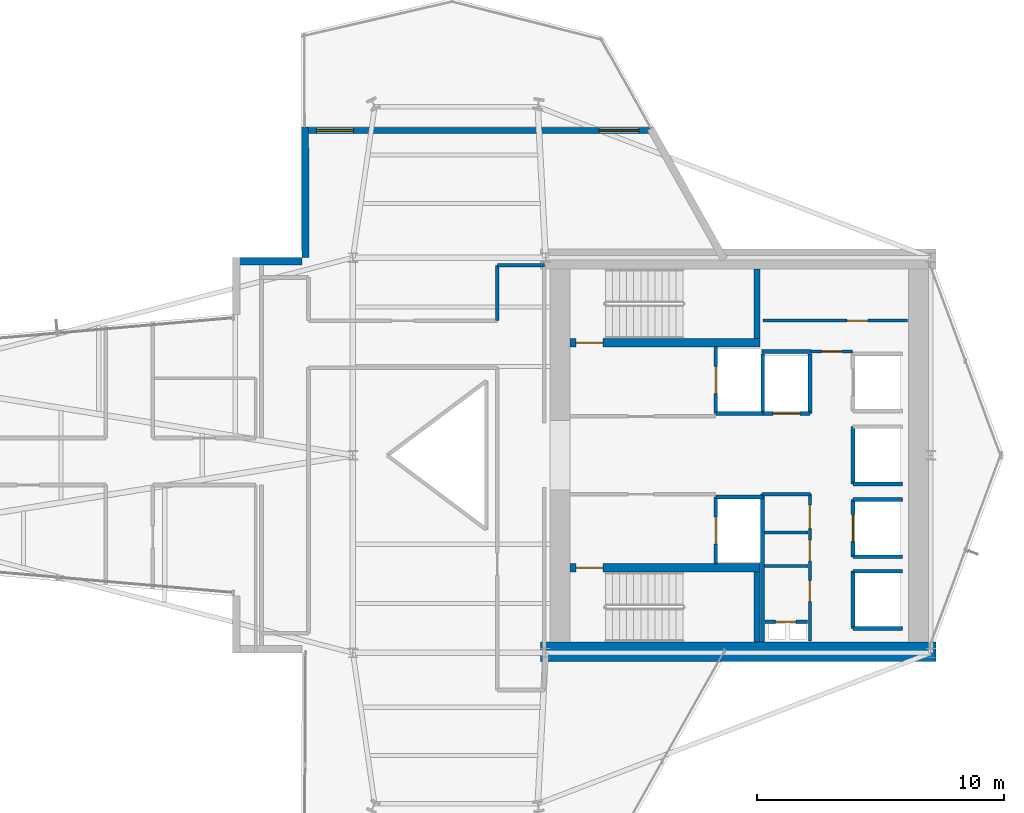
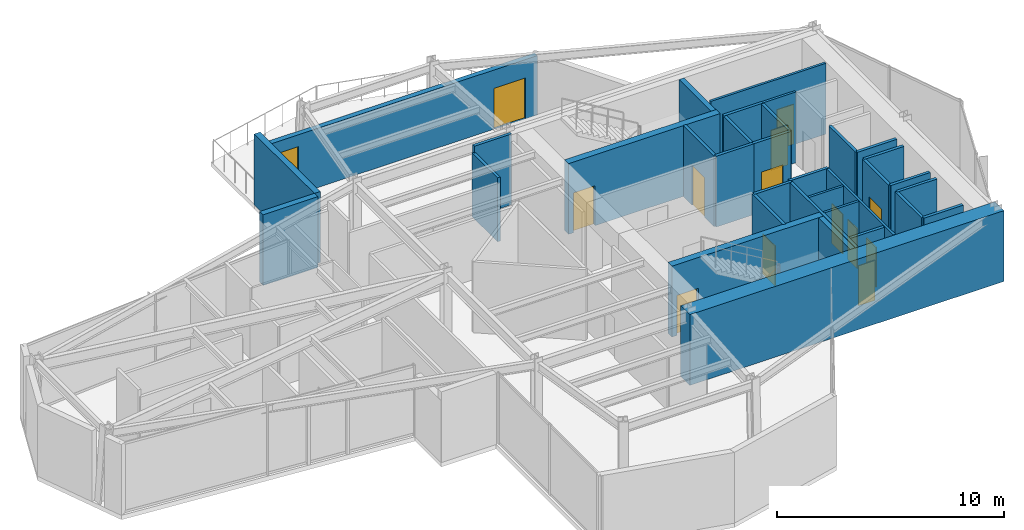
# One storey, part 20 of 23: 34 walls, 13 doors, 1 window, 14 openings.
"""IFC4 building model written with IfcOpenShell, lengths in metres."""

from ifc_helpers import new_model, si_unit, direction, frame, frame_2d, origin, place, context, subcontext, project, spatial, rectangle, extrude, material, layer, layer_set, type_object, element, fill, save


model = new_model("IFC4")

# Units and contexts
model_context = context("Model", 3, precision=1e-05, world=origin(), true_north=direction((0.0, 1.0)))
body_context = subcontext(model_context, "Body", "Model", "MODEL_VIEW")
ifc_project = project(units=[si_unit("LENGTHUNIT", "METRE"), si_unit("AREAUNIT", "SQUARE_METRE"), si_unit("VOLUMEUNIT", "CUBIC_METRE"), si_unit("PLANEANGLEUNIT", "RADIAN"), si_unit("MASSUNIT", "GRAM", prefix="KILO")], contexts=[model_context])

# Site, building, storey
site_placement = place(None, origin())
site = spatial("IfcSite", under=ifc_project, at=site_placement, CompositionType="ELEMENT")
building_placement = place(site_placement, origin())
building = spatial("IfcBuilding", under=site, at=building_placement, Name="Veymaron Broadcast Tower", CompositionType="ELEMENT")
storey_placement = place(building_placement, frame((0.0, 0.0, 165.449951171875)))
storey = spatial("IfcBuildingStorey", under=building, at=storey_placement, Name="L38", CompositionType="ELEMENT", Elevation=165.449951171875)

# Wall, openings, door, window
ifc_material_1 = material(Name="Precast concrete C40/50", Category="concrete")
ifc_layer_1 = layer(ifc_material_1, 0.25)
ifc_layer_set_1 = layer_set([ifc_layer_1], Name="Precast concrete C40/50")
wall_type_1 = type_object("IfcWallType", Name="WALL-EXT-250", PredefinedType="STANDARD", material=ifc_layer_set_1)
wall_1_placement = place(storey_placement, frame((43.373779296875, 37.153076171875, 0.0), z_axis=(0.0, 0.0, 1.0), x_axis=(-1.0, 0.0, 0.0)))
wall_1 = element("IfcWall", 1, at=wall_1_placement, inside=storey, type_object=wall_type_1, Name="L38 sky-terrace threshold wall", PredefinedType="STANDARD", context=body_context, shape_type="SweptSolid", body=[
    extrude(rectangle(XDim=14.25439453125, YDim=0.25, at=frame_2d((7.127197265625, 0.0))), origin(), (0.0, 0.0, 1.0), 3.18994140625),
])
opening_1_placement = place(wall_1_placement, frame((0.60009765625, 0.0, 0.0)))
opening_1 = element("IfcOpeningElement", 2, at=opening_1_placement, cuts=wall_1, Name="Opening ED-TR1", PredefinedType="OPENING", context=body_context, shape_type="SweptSolid", body=[
    extrude(rectangle(XDim=1.60009765625, YDim=2.199951171875, at=frame_2d((0.800048828125, 1.10009765625))), frame((0.0, 0.135009765625, 0.0), z_axis=(0.0, -1.0, 0.0), x_axis=(1.0, 0.0, 0.0)), (0.0, 0.0, 1.0), 0.27001953125),
])
opening_2_placement = place(wall_1_placement, frame((12.154052734375, 0.0, 0.949951171875)))
opening_2 = element("IfcOpeningElement", 3, at=opening_2_placement, cuts=wall_1, Name="Opening WN2", PredefinedType="OPENING", context=body_context, shape_type="SweptSolid", body=[
    extrude(rectangle(XDim=1.5, YDim=1.60009765625, at=frame_2d((0.75, 0.800048828125))), frame((0.0, 0.135009765625, 0.0), z_axis=(0.0, -1.0, 0.0), x_axis=(1.0, 0.0, 0.0)), (0.0, 0.0, 1.0), 0.27001953125),
])
ifc_material_2 = material(Name="Thermally broken aluminium and low-E safety glass", Category="aluminium")
door_type_1 = type_object("IfcDoorType", Name="DOOR-TERR-1600", OperationType="DOUBLE_DOOR_SINGLE_SWING", PredefinedType="DOOR", material=ifc_material_2)
door_1_placement = place(opening_1_placement, frame((1.60009765625, 0.0, 0.0), z_axis=(0.0, 0.0, 1.0), x_axis=(-1.0, 0.0, 0.0)))
door_1 = element("IfcDoor", 4, at=door_1_placement, inside=storey, type_object=door_type_1, Name="L38 sky-terrace access door", OperationType="SINGLE_SWING_LEFT", OverallHeight=2.199951171875, OverallWidth=1.60009765625, PredefinedType="DOOR", context=body_context, shape_type="SweptSolid", body=[
    extrude(rectangle(XDim=1.60009765625, YDim=2.199951171875, at=frame_2d((0.800048828125, 1.10009765625))), frame((0.0, 0.02490234375, 0.0), z_axis=(0.0, -1.0, 0.0), x_axis=(1.0, 0.0, 0.0)), (0.0, 0.0, 1.0), 0.050048828125),
])
fill(opening_1, door_1)
ifc_material_3 = material(Name="Thermally broken aluminium and acoustic laminated glass", Category="aluminium")
window_type = type_object("IfcWindowType", Name="WIN-EXT-1500", PartitioningType="SINGLE_PANEL", PredefinedType="WINDOW", material=ifc_material_3)
window_placement = place(opening_2_placement, origin())
window = element("IfcWindow", 5, at=window_placement, inside=storey, type_object=window_type, Name="L38 sky-terrace viewing window", OverallHeight=1.60009765625, OverallWidth=1.5, PartitioningType="SINGLE_PANEL", PredefinedType="WINDOW", context=body_context, shape_type="SweptSolid", body=[
    extrude(rectangle(XDim=1.5, YDim=1.60009765625, at=frame_2d((0.75, 0.800048828125))), frame((0.0, 0.030029296875, 0.0), z_axis=(0.0, -1.0, 0.0), x_axis=(1.0, 0.0, 0.0)), (0.0, 0.0, 1.0), 0.06005859375),
])
fill(opening_2, window)

# Walls
ifc_material_4 = material(Name="Precast concrete C40/50 with mineral-wool insulation", Category="concrete")
ifc_layer_2 = layer(ifc_material_4, 0.300048828125)
ifc_layer_set_2 = layer_set([ifc_layer_2], Name="Precast concrete C40/50 with mineral-wool insulation")
wall_type_2 = type_object("IfcWallType", Name="WALL-EXT-300", PredefinedType="STANDARD", material=ifc_layer_set_2)
wall_2_placement = place(storey_placement, frame((29.259521484375, 37.293701171875, 0.0), z_axis=(0.0, 0.0, 1.0), x_axis=(0.004012697734, -0.999991949096, 0.0)))
element("IfcWall", 6, at=wall_2_placement, inside=storey, type_object=wall_type_2, Name="L38 notched corner facade pier 8-1", PredefinedType="STANDARD", context=body_context, shape_type="SweptSolid", body=[
    extrude(rectangle(XDim=5.293212890625, YDim=0.300048828125, at=frame_2d((2.646484375, 0.0))), origin(), (0.0, 0.0, 1.0), 3.81005859375),
])
wall_3_placement = place(storey_placement, frame((29.140869140625, 31.860107421875, 0.0), z_axis=(0.0, 0.0, 1.0), x_axis=(-1.0, 0.0, 0.0)))
element("IfcWall", 7, at=wall_3_placement, inside=storey, type_object=wall_type_2, Name="L38 notched corner facade pier 9-1", PredefinedType="STANDARD", context=body_context, shape_type="SweptSolid", body=[
    extrude(rectangle(XDim=2.796875, YDim=0.300048828125, at=frame_2d((1.3984375, 0.0))), origin(), (0.0, 0.0, 1.0), 3.81005859375),
])

# Wall, opening, door
ifc_material_5 = material(Name="Gypsum fireboard and steel stud framing", Category="steel")
ifc_layer_3 = layer(ifc_material_5, 0.14990234375)
ifc_layer_set_3 = layer_set([ifc_layer_3], Name="Gypsum fireboard and steel stud framing")
wall_type_3 = type_object("IfcWallType", Name="WALL-FIRE-150", PredefinedType="PARTITIONING", material=ifc_layer_set_3)
wall_4_placement = place(storey_placement, frame((45.89501953125, 25.68994140625, 0.0), z_axis=(0.0, 0.0, 1.0), x_axis=(0.0, 1.0, 0.0)))
wall_4 = element("IfcWall", 8, at=wall_4_placement, inside=storey, type_object=wall_type_3, Name="L38 partition IW-L38-SHW-FFL-1", PredefinedType="PARTITIONING", context=body_context, shape_type="SweptSolid", body=[
    extrude(rectangle(XDim=2.719970703125, YDim=0.14990234375, at=frame_2d((1.35986328125, 0.0))), origin(), (0.0, 0.0, 1.0), 3.81005859375),
])
opening_3_placement = place(wall_4_placement, frame((0.81005859375, 0.0, 0.0)))
opening_3 = element("IfcOpeningElement", 9, at=opening_3_placement, cuts=wall_4, Name="Opening LD", PredefinedType="OPENING", context=body_context, shape_type="SweptSolid", body=[
    extrude(rectangle(XDim=1.10009765625, YDim=2.14990234375, at=frame_2d((0.550048828125, 1.074951171875))), frame((0.0, 0.0849609375, 0.0), z_axis=(0.0, -1.0, 0.0), x_axis=(1.0, 0.0, 0.0)), (0.0, 0.0, 1.0), 0.169921875),
])
ifc_material_6 = material(Name="Brushed stainless steel AISI 304", Category="steel")
door_type_2 = type_object("IfcDoorType", Name="DOOR-LIFT-1100", OperationType="DOUBLE_DOOR_SLIDING", PredefinedType="DOOR", material=ifc_material_6)
door_2_placement = place(opening_3_placement, frame((1.10009765625, 0.0, 0.0), z_axis=(0.0, 0.0, 1.0), x_axis=(-1.0, 0.0, 0.0)))
door_2 = element("IfcDoor", 10, at=door_2_placement, inside=storey, type_object=door_type_2, Name="L38 door LD-L38-FFL-1", OperationType="DOUBLE_DOOR_SLIDING", OverallHeight=2.14990234375, OverallWidth=1.10009765625, PredefinedType="DOOR", context=body_context, shape_type="SweptSolid", body=[
    extrude(rectangle(XDim=1.10009765625, YDim=2.14990234375, at=frame_2d((0.550048828125, 1.074951171875))), frame((0.0, 0.02490234375, 0.0), z_axis=(0.0, -1.0, 0.0), x_axis=(1.0, 0.0, 0.0)), (0.0, 0.0, 1.0), 0.050048828125),
])
fill(opening_3, door_2)

# Wall
wall_5_placement = place(storey_placement, frame((45.89501953125, 25.68994140625, 0.0), z_axis=(0.0, 0.0, 1.0), x_axis=(1.0, 0.0, 0.0)))
element("IfcWall", 11, at=wall_5_placement, inside=storey, type_object=wall_type_3, Name="L38 partition IW-L38-SHS-FFL-1", PredefinedType="PARTITIONING", context=body_context, shape_type="SweptSolid", body=[
    extrude(rectangle(XDim=1.9150390625, YDim=0.14990234375, at=frame_2d((0.95751953125, 0.0))), origin(), (0.0, 0.0, 1.0), 3.81005859375),
])

# Wall, opening, door
wall_6_placement = place(storey_placement, frame((45.89501953125, 19.590087890625, 0.0), z_axis=(0.0, 0.0, 1.0), x_axis=(0.0, 1.0, 0.0)))
wall_6 = element("IfcWall", 12, at=wall_6_placement, inside=storey, type_object=wall_type_3, Name="L38 partition IW-L38-SHW-FFL-2", PredefinedType="PARTITIONING", context=body_context, shape_type="SweptSolid", body=[
    extrude(rectangle(XDim=2.719970703125, YDim=0.14990234375, at=frame_2d((1.35986328125, 0.0))), origin(), (0.0, 0.0, 1.0), 3.81005859375),
])
opening_4_placement = place(wall_6_placement, frame((0.81005859375, 0.0, 0.0)))
opening_4 = element("IfcOpeningElement", 13, at=opening_4_placement, cuts=wall_6, Name="Opening LD", PredefinedType="OPENING", context=body_context, shape_type="SweptSolid", body=[
    extrude(rectangle(XDim=1.10009765625, YDim=2.14990234375, at=frame_2d((0.550048828125, 1.074951171875))), frame((0.0, 0.0849609375, 0.0), z_axis=(0.0, -1.0, 0.0), x_axis=(1.0, 0.0, 0.0)), (0.0, 0.0, 1.0), 0.169921875),
])
door_3_placement = place(opening_4_placement, frame((1.10009765625, 0.0, 0.0), z_axis=(0.0, 0.0, 1.0), x_axis=(-1.0, 0.0, 0.0)))
door_3 = element("IfcDoor", 14, at=door_3_placement, inside=storey, type_object=door_type_2, Name="L38 door LD-L38-FFL-2", OperationType="DOUBLE_DOOR_SLIDING", OverallHeight=2.14990234375, OverallWidth=1.10009765625, PredefinedType="DOOR", context=body_context, shape_type="SweptSolid", body=[
    extrude(rectangle(XDim=1.10009765625, YDim=2.14990234375, at=frame_2d((0.550048828125, 1.074951171875))), frame((0.0, 0.02490234375, 0.0), z_axis=(0.0, -1.0, 0.0), x_axis=(1.0, 0.0, 0.0)), (0.0, 0.0, 1.0), 0.050048828125),
])
fill(opening_4, door_3)

# Wall
wall_7_placement = place(storey_placement, frame((45.89501953125, 22.31005859375, 0.0), z_axis=(0.0, 0.0, 1.0), x_axis=(1.0, 0.0, 0.0)))
element("IfcWall", 15, at=wall_7_placement, inside=storey, type_object=wall_type_3, Name="L38 partition IW-L38-SHN-FFL-2", PredefinedType="PARTITIONING", context=body_context, shape_type="SweptSolid", body=[
    extrude(rectangle(XDim=1.9150390625, YDim=0.14990234375, at=frame_2d((0.95751953125, 0.0))), origin(), (0.0, 0.0, 1.0), 3.81005859375),
])

# Wall, opening, door
wall_8_placement = place(storey_placement, frame((47.7900390625, 25.695068359375, 0.0), z_axis=(0.0, 0.0, 1.0), x_axis=(1.0, 0.0, 0.0)))
wall_8 = element("IfcWall", 16, at=wall_8_placement, inside=storey, type_object=wall_type_3, Name="L38 partition IW-L38-SHS-SL-1", PredefinedType="PARTITIONING", context=body_context, shape_type="SweptSolid", body=[
    extrude(rectangle(XDim=1.919921875, YDim=0.14990234375, at=frame_2d((0.9599609375, 0.0))), origin(), (0.0, 0.0, 1.0), 3.81005859375),
])
opening_5_placement = place(wall_8_placement, frame((0.409912109375, 0.0, 0.0)))
opening_5 = element("IfcOpeningElement", 17, at=opening_5_placement, cuts=wall_8, Name="Opening LD", PredefinedType="OPENING", context=body_context, shape_type="SweptSolid", body=[
    extrude(rectangle(XDim=1.10009765625, YDim=2.14990234375, at=frame_2d((0.550048828125, 1.074951171875))), frame((0.0, 0.0849609375, 0.0), z_axis=(0.0, -1.0, 0.0), x_axis=(1.0, 0.0, 0.0)), (0.0, 0.0, 1.0), 0.169921875),
])
door_4_placement = place(opening_5_placement, frame((1.10009765625, 0.0, 0.0), z_axis=(0.0, 0.0, 1.0), x_axis=(-1.0, 0.0, 0.0)))
door_4 = element("IfcDoor", 18, at=door_4_placement, inside=storey, type_object=door_type_2, Name="L38 door LD-L38-SL-1", OperationType="DOUBLE_DOOR_SLIDING", OverallHeight=2.14990234375, OverallWidth=1.10009765625, PredefinedType="DOOR", context=body_context, shape_type="SweptSolid", body=[
    extrude(rectangle(XDim=1.10009765625, YDim=2.14990234375, at=frame_2d((0.550048828125, 1.074951171875))), frame((0.0, 0.02490234375, 0.0), z_axis=(0.0, -1.0, 0.0), x_axis=(1.0, 0.0, 0.0)), (0.0, 0.0, 1.0), 0.050048828125),
])
fill(opening_5, door_4)

# Walls
for number, where, z_axis, x_axis, name in (
    (19, (47.7900390625, 25.695068359375, 0.0), (0.0, 0.0, 1.0), (0.0, 1.0, 0.0), "L38 partition IW-L38-SHW-SL-1"),
    (20, (49.7099609375, 25.695068359375, 0.0), (0.0, 0.0, 1.0), (0.0, 1.0, 0.0), "L38 partition IW-L38-SHE-SL-1"),
):
    element("IfcWall", number, at=place(storey_placement, frame(where, z_axis=z_axis, x_axis=x_axis)), inside=storey, type_object=wall_type_3, Name=name, PredefinedType="PARTITIONING", context=body_context, shape_type="SweptSolid", body=[
        extrude(rectangle(XDim=2.4150390625, YDim=0.14990234375, at=frame_2d((1.20751953125, 0.0))), origin(), (0.0, 0.0, 1.0), 3.81005859375),
    ])

# Wall, opening, door
wall_9_placement = place(storey_placement, frame((51.445068359375, 19.889892578125, 0.0), z_axis=(0.0, 0.0, 1.0), x_axis=(0.0, 1.0, 0.0)))
wall_9 = element("IfcWall", 21, at=wall_9_placement, inside=storey, type_object=wall_type_3, Name="L38 partition IW-L38-SHW-PM2", PredefinedType="PARTITIONING", context=body_context, shape_type="SweptSolid", body=[
    extrude(rectangle(XDim=2.320068359375, YDim=0.14990234375, at=frame_2d((1.16015625, 0.0))), origin(), (0.0, 0.0, 1.0), 3.81005859375),
])
opening_6_placement = place(wall_9_placement, frame((0.610107421875, 0.0, 0.0)))
opening_6 = element("IfcOpeningElement", 22, at=opening_6_placement, cuts=wall_9, Name="Opening LD", PredefinedType="OPENING", context=body_context, shape_type="SweptSolid", body=[
    extrude(rectangle(XDim=1.10009765625, YDim=2.14990234375, at=frame_2d((0.550048828125, 1.074951171875))), frame((0.0, 0.0849609375, 0.0), z_axis=(0.0, -1.0, 0.0), x_axis=(1.0, 0.0, 0.0)), (0.0, 0.0, 1.0), 0.169921875),
])
door_5_placement = place(opening_6_placement, frame((1.10009765625, 0.0, 0.0), z_axis=(0.0, 0.0, 1.0), x_axis=(-1.0, 0.0, 0.0)))
door_5 = element("IfcDoor", 23, at=door_5_placement, inside=storey, type_object=door_type_2, Name="L38 door LD-L38-PM2", OperationType="DOUBLE_DOOR_SLIDING", OverallHeight=2.14990234375, OverallWidth=1.10009765625, PredefinedType="DOOR", context=body_context, shape_type="SweptSolid", body=[
    extrude(rectangle(XDim=1.10009765625, YDim=2.14990234375, at=frame_2d((0.550048828125, 1.074951171875))), frame((0.0, 0.02490234375, 0.0), z_axis=(0.0, -1.0, 0.0), x_axis=(1.0, 0.0, 0.0)), (0.0, 0.0, 1.0), 0.050048828125),
])
fill(opening_6, door_5)

# Walls
for number, where, z_axis, x_axis, name in (
    (24, (51.445068359375, 19.889892578125, 0.0), (0.0, 0.0, 1.0), (1.0, 0.0, 0.0), "L38 partition IW-L38-SHS-PM2"),
    (25, (51.445068359375, 22.2099609375, 0.0), (0.0, 0.0, 1.0), (1.0, 0.0, 0.0), "L38 partition IW-L38-SHN-PM2"),
):
    element("IfcWall", number, at=place(storey_placement, frame(where, z_axis=z_axis, x_axis=x_axis)), inside=storey, type_object=wall_type_3, Name=name, PredefinedType="PARTITIONING", context=body_context, shape_type="SweptSolid", body=[
        extrude(rectangle(XDim=2.014892578125, YDim=0.14990234375, at=frame_2d((1.00732421875, 0.0))), origin(), (0.0, 0.0, 1.0), 3.81005859375),
    ])
wall_10_placement = place(storey_placement, frame((51.445068359375, 22.840087890625, 0.0), z_axis=(0.0, 0.0, 1.0), x_axis=(0.0, 1.0, 0.0)))
element("IfcWall", 26, at=wall_10_placement, inside=storey, type_object=wall_type_3, Name="L38 partition IW-L38-SHW-PM3", PredefinedType="PARTITIONING", context=body_context, shape_type="SweptSolid", body=[
    extrude(rectangle(XDim=2.31982421875, YDim=0.14990234375, at=frame_2d((1.159912109375, 0.0))), origin(), (0.0, 0.0, 1.0), 3.81005859375),
])
wall_11_placement = place(storey_placement, frame((51.445068359375, 22.840087890625, 0.0), z_axis=(0.0, 0.0, 1.0), x_axis=(1.0, 0.0, 0.0)))
element("IfcWall", 27, at=wall_11_placement, inside=storey, type_object=wall_type_3, Name="L38 partition IW-L38-SHS-PM3", PredefinedType="PARTITIONING", context=body_context, shape_type="SweptSolid", body=[
    extrude(rectangle(XDim=2.014892578125, YDim=0.14990234375, at=frame_2d((1.00732421875, 0.0))), origin(), (0.0, 0.0, 1.0), 3.81005859375),
])
wall_12_placement = place(storey_placement, frame((51.445068359375, 16.989990234375, 0.0), z_axis=(0.0, 0.0, 1.0), x_axis=(0.0, 1.0, 0.0)))
element("IfcWall", 28, at=wall_12_placement, inside=storey, type_object=wall_type_3, Name="L38 partition IW-L38-SHW-PH1", PredefinedType="PARTITIONING", context=body_context, shape_type="SweptSolid", body=[
    extrude(rectangle(XDim=2.320068359375, YDim=0.14990234375, at=frame_2d((1.16015625, 0.0))), origin(), (0.0, 0.0, 1.0), 3.81005859375),
])
for number, where, z_axis, x_axis, name in (
    (29, (51.445068359375, 16.989990234375, 0.0), (0.0, 0.0, 1.0), (1.0, 0.0, 0.0), "L38 partition IW-L38-SHS-PH1"),
    (30, (51.445068359375, 19.31005859375, 0.0), (0.0, 0.0, 1.0), (1.0, 0.0, 0.0), "L38 partition IW-L38-SHN-PH1"),
):
    element("IfcWall", number, at=place(storey_placement, frame(where, z_axis=z_axis, x_axis=x_axis)), inside=storey, type_object=wall_type_3, Name=name, PredefinedType="PARTITIONING", context=body_context, shape_type="SweptSolid", body=[
        extrude(rectangle(XDim=2.014892578125, YDim=0.14990234375, at=frame_2d((1.00732421875, 0.0))), origin(), (0.0, 0.0, 1.0), 3.81005859375),
    ])

# Wall, opening, door
wall_13_placement = place(storey_placement, frame((47.8798828125, 17.260009765625, 0.0), z_axis=(0.0, 0.0, 1.0), x_axis=(1.0, 0.0, 0.0)))
wall_13 = element("IfcWall", 31, at=wall_13_placement, inside=storey, type_object=wall_type_3, Name="L38 partition IW-L38-RIS-N", PredefinedType="PARTITIONING", context=body_context, shape_type="SweptSolid", body=[
    extrude(rectangle(XDim=1.72021484375, YDim=0.14990234375, at=frame_2d((0.860107421875, 0.0))), origin(), (0.0, 0.0, 1.0), 3.81005859375),
])
opening_7_placement = place(wall_13_placement, frame((0.419921875, 0.0, 0.0)))
opening_7 = element("IfcOpeningElement", 32, at=opening_7_placement, cuts=wall_13, Name="Opening ID-RS1", PredefinedType="OPENING", context=body_context, shape_type="SweptSolid", body=[
    extrude(rectangle(XDim=0.85009765625, YDim=2.14990234375, at=frame_2d((0.425048828125, 1.074951171875))), frame((0.0, 0.0849609375, 0.0), z_axis=(0.0, -1.0, 0.0), x_axis=(1.0, 0.0, 0.0)), (0.0, 0.0, 1.0), 0.169921875),
])
ifc_material_7 = material(Name="Fire-rated powder-coated steel riser leaf", Category="steel")
door_type_3 = type_object("IfcDoorType", Name="DOOR-RIS-850", OperationType="NOTDEFINED", PredefinedType="TRAPDOOR", material=ifc_material_7)
door_6_placement = place(opening_7_placement, origin())
door_6 = element("IfcDoor", 33, at=door_6_placement, inside=storey, type_object=door_type_3, Name="L38 door DR-L38-RIS", OperationType="SINGLE_SWING_LEFT", OverallHeight=2.14990234375, OverallWidth=0.85009765625, PredefinedType="TRAPDOOR", context=body_context, shape_type="SweptSolid", body=[
    extrude(rectangle(XDim=0.85009765625, YDim=2.14990234375, at=frame_2d((0.425048828125, 1.074951171875))), frame((0.0, 0.02490234375, 0.0), z_axis=(0.0, -1.0, 0.0), x_axis=(1.0, 0.0, 0.0)), (0.0, 0.0, 1.0), 0.050048828125),
])
fill(opening_7, door_6)

# Walls
wall_14_placement = place(storey_placement, frame((47.760009765625, 22.425048828125, 0.0), z_axis=(0.0, 0.0, 1.0), x_axis=(1.0, 0.0, 0.0)))
element("IfcWall", 34, at=wall_14_placement, inside=storey, type_object=wall_type_3, Name="L38 partition IW-L38-SM-N", PredefinedType="PARTITIONING", context=body_context, shape_type="SweptSolid", body=[
    extrude(rectangle(XDim=1.9599609375, YDim=0.14990234375, at=frame_2d((0.97998046875, 0.0))), origin(), (0.0, 0.0, 1.0), 3.81005859375),
])
wall_15_placement = place(storey_placement, frame((47.780029296875, 16.449951171875, 0.0), z_axis=(0.0, 0.0, 1.0), x_axis=(0.0, 1.0, 0.0)))
element("IfcWall", 35, at=wall_15_placement, inside=storey, type_object=wall_type_3, Name="L38 partition IW-L38-SM-W", PredefinedType="PARTITIONING", context=body_context, shape_type="SweptSolid", body=[
    extrude(rectangle(XDim=5.97509765625, YDim=0.14990234375, at=frame_2d((2.987548828125, 0.0))), origin(), (0.0, 0.0, 1.0), 3.81005859375),
])
wall_16_placement = place(storey_placement, frame((47.760009765625, 28.199951171875, 0.0), z_axis=(0.0, 0.0, 1.0), x_axis=(1.0, 0.0, 0.0)))
element("IfcWall", 36, at=wall_16_placement, inside=storey, type_object=wall_type_3, Name="L38 partition IW-L38-F1-SW", PredefinedType="PARTITIONING", context=body_context, shape_type="SweptSolid", body=[
    extrude(rectangle(XDim=1.989990234375, YDim=0.14990234375, at=frame_2d((0.9951171875, 0.0))), origin(), (0.0, 0.0, 1.0), 3.81005859375),
])
wall_17_placement = place(storey_placement, frame((37.050048828125, 29.449951171875, 0.0), z_axis=(0.0, 0.0, 1.0), x_axis=(0.0, 1.0, 0.0)))
element("IfcWall", 37, at=wall_17_placement, inside=storey, type_object=wall_type_3, Name="L38 partition IW-L38-P21", PredefinedType="PARTITIONING", context=body_context, shape_type="SweptSolid", body=[
    extrude(rectangle(XDim=2.2431640625, YDim=0.14990234375, at=frame_2d((1.12158203125, 0.0))), origin(), (0.0, 0.0, 1.0), 3.443115234375),
])
wall_18_placement = place(storey_placement, frame((37.050048828125, 31.693115234375, 0.0), z_axis=(0.0, 0.0, 1.0), x_axis=(1.0, 0.0, 0.0)))
element("IfcWall", 38, at=wall_18_placement, inside=storey, type_object=wall_type_3, Name="L38 partition IW-L38-P22", PredefinedType="PARTITIONING", context=body_context, shape_type="SweptSolid", body=[
    extrude(rectangle(XDim=1.89990234375, YDim=0.14990234375, at=frame_2d((0.949951171875, 0.0))), origin(), (0.0, 0.0, 1.0), 3.81005859375),
])
ifc_material_8 = material(Name="Acoustic gypsum board and galvanized stud", Category="gypsum")
ifc_layer_4 = layer(ifc_material_8, 0.1201171875)
ifc_layer_set_4 = layer_set([ifc_layer_4], Name="Acoustic gypsum board and galvanized stud")
wall_type_4 = type_object("IfcWallType", Name="WALL-PART-120", PredefinedType="PARTITIONING", material=ifc_layer_set_4)
for number, where, z_axis, x_axis, name in (
    (39, (47.860107421875, 19.52001953125, 0.0), (0.0, 0.0, 1.0), (1.0, 0.0, 0.0), "L38 partition IW-L38-SM-D1"),
    (40, (47.860107421875, 20.8798828125, 0.0), (0.0, 0.0, 1.0), (1.0, 0.0, 0.0), "L38 partition IW-L38-SM-D2"),
):
    element("IfcWall", number, at=place(storey_placement, frame(where, z_axis=z_axis, x_axis=x_axis)), inside=storey, type_object=wall_type_4, Name=name, PredefinedType="PARTITIONING", context=body_context, shape_type="SweptSolid", body=[
        extrude(rectangle(XDim=1.760009765625, YDim=0.1201171875, at=frame_2d((0.8798828125, 0.0))), origin(), (0.0, 0.0, 1.0), 3.81005859375),
    ])

# Wall, openings, doors
wall_19_placement = place(storey_placement, frame((49.699951171875, 16.47998046875, 0.0), z_axis=(0.0, 0.0, 1.0), x_axis=(0.0, 1.0, 0.0)))
wall_19 = element("IfcWall", 41, at=wall_19_placement, inside=storey, type_object=wall_type_4, Name="L38 partition IW-L38-SM-E", PredefinedType="PARTITIONING", context=body_context, shape_type="SweptSolid", body=[
    extrude(rectangle(XDim=5.945068359375, YDim=0.1201171875, at=frame_2d((2.97265625, 0.0))), origin(), (0.0, 0.0, 1.0), 3.81005859375),
])
opening_8_placement = place(wall_19_placement, frame((1.60009765625, 0.0, 0.0)))
opening_8 = element("IfcOpeningElement", 42, at=opening_8_placement, cuts=wall_19, Name="Opening ID-WC1", PredefinedType="OPENING", context=body_context, shape_type="SweptSolid", body=[
    extrude(rectangle(XDim=0.85009765625, YDim=2.14990234375, at=frame_2d((0.425048828125, 1.074951171875))), frame((0.0, 0.070068359375, 0.0), z_axis=(0.0, -1.0, 0.0), x_axis=(1.0, 0.0, 0.0)), (0.0, 0.0, 1.0), 0.14013671875),
])
opening_9_placement = place(wall_19_placement, frame((3.25, 0.0, 0.0)))
opening_9 = element("IfcOpeningElement", 43, at=opening_9_placement, cuts=wall_19, Name="Opening ID-WC1", PredefinedType="OPENING", context=body_context, shape_type="SweptSolid", body=[
    extrude(rectangle(XDim=0.85009765625, YDim=2.14990234375, at=frame_2d((0.425048828125, 1.074951171875))), frame((0.0, 0.070068359375, 0.0), z_axis=(0.0, -1.0, 0.0), x_axis=(1.0, 0.0, 0.0)), (0.0, 0.0, 1.0), 0.14013671875),
])
opening_10_placement = place(wall_19_placement, frame((4.550048828125, 0.0, 0.0)))
opening_10 = element("IfcOpeningElement", 44, at=opening_10_placement, cuts=wall_19, Name="Opening ID-RM1", PredefinedType="OPENING", context=body_context, shape_type="SweptSolid", body=[
    extrude(rectangle(XDim=0.949951171875, YDim=2.14990234375, at=frame_2d((0.47509765625, 1.074951171875))), frame((0.0, 0.070068359375, 0.0), z_axis=(0.0, -1.0, 0.0), x_axis=(1.0, 0.0, 0.0)), (0.0, 0.0, 1.0), 0.14013671875),
])
ifc_material_9 = material(Name="Moisture-resistant high-pressure laminate timber", Category="wood")
door_type_4 = type_object("IfcDoorType", Name="DOOR-INT-850", OperationType="NOTDEFINED", PredefinedType="DOOR", material=ifc_material_9)
door_7_placement = place(opening_8_placement, frame((0.85009765625, 0.0, 0.0), z_axis=(0.0, 0.0, 1.0), x_axis=(-1.0, 0.0, 0.0)))
door_7 = element("IfcDoor", 45, at=door_7_placement, inside=storey, type_object=door_type_4, Name="L38 door DR-L38-JST", OperationType="SINGLE_SWING_LEFT", OverallHeight=2.14990234375, OverallWidth=0.85009765625, PredefinedType="DOOR", context=body_context, shape_type="SweptSolid", body=[
    extrude(rectangle(XDim=0.85009765625, YDim=2.14990234375, at=frame_2d((0.425048828125, 1.074951171875))), frame((0.0, 0.02490234375, 0.0), z_axis=(0.0, -1.0, 0.0), x_axis=(1.0, 0.0, 0.0)), (0.0, 0.0, 1.0), 0.050048828125),
])
fill(opening_8, door_7)
door_8_placement = place(opening_9_placement, frame((0.85009765625, 0.0, 0.0), z_axis=(0.0, 0.0, 1.0), x_axis=(-1.0, 0.0, 0.0)))
door_8 = element("IfcDoor", 46, at=door_8_placement, inside=storey, type_object=door_type_4, Name="L38 door DR-L38-SWC", OperationType="SINGLE_SWING_RIGHT", OverallHeight=2.14990234375, OverallWidth=0.85009765625, PredefinedType="DOOR", context=body_context, shape_type="SweptSolid", body=[
    extrude(rectangle(XDim=0.85009765625, YDim=2.14990234375, at=frame_2d((0.425048828125, 1.074951171875))), frame((0.0, 0.02490234375, 0.0), z_axis=(0.0, -1.0, 0.0), x_axis=(1.0, 0.0, 0.0)), (0.0, 0.0, 1.0), 0.050048828125),
])
fill(opening_9, door_8)
ifc_material_10 = material(Name="Acoustic solid-core European oak veneer timber", Category="wood")
door_type_5 = type_object("IfcDoorType", Name="DOOR-INT-950", OperationType="NOTDEFINED", PredefinedType="DOOR", material=ifc_material_10)
door_9_placement = place(opening_10_placement, frame((0.949951171875, 0.0, 0.0), z_axis=(0.0, 0.0, 1.0), x_axis=(-1.0, 0.0, 0.0)))
door_9 = element("IfcDoor", 47, at=door_9_placement, inside=storey, type_object=door_type_5, Name="L38 door DR-L38-AWC", OperationType="SINGLE_SWING_LEFT", OverallHeight=2.14990234375, OverallWidth=0.949951171875, PredefinedType="DOOR", context=body_context, shape_type="SweptSolid", body=[
    extrude(rectangle(XDim=0.949951171875, YDim=2.14990234375, at=frame_2d((0.47509765625, 1.074951171875))), frame((0.0, 0.02490234375, 0.0), z_axis=(0.0, -1.0, 0.0), x_axis=(1.0, 0.0, 0.0)), (0.0, 0.0, 1.0), 0.050048828125),
])
fill(opening_10, door_9)

# Wall, opening, door
wall_20_placement = place(storey_placement, frame((49.75, 28.199951171875, 0.0), z_axis=(0.0, 0.0, 1.0), x_axis=(1.0, 0.0, 0.0)))
wall_20 = element("IfcWall", 48, at=wall_20_placement, inside=storey, type_object=wall_type_4, Name="L38 partition IW-L38-F1-S", PredefinedType="PARTITIONING", context=body_context, shape_type="SweptSolid", body=[
    extrude(rectangle(XDim=1.669921875, YDim=0.1201171875, at=frame_2d((0.8349609375, 0.0))), origin(), (0.0, 0.0, 1.0), 3.81005859375),
])
opening_11_placement = place(wall_20_placement, frame((0.419921875, 0.0, 0.0)))
opening_11 = element("IfcOpeningElement", 49, at=opening_11_placement, cuts=wall_20, Name="Opening ID-WC1", PredefinedType="OPENING", context=body_context, shape_type="SweptSolid", body=[
    extrude(rectangle(XDim=0.85009765625, YDim=2.14990234375, at=frame_2d((0.425048828125, 1.074951171875))), frame((0.0, 0.070068359375, 0.0), z_axis=(0.0, -1.0, 0.0), x_axis=(1.0, 0.0, 0.0)), (0.0, 0.0, 1.0), 0.14013671875),
])
door_10_placement = place(opening_11_placement, origin())
door_10 = element("IfcDoor", 50, at=door_10_placement, inside=storey, type_object=door_type_4, Name="L38 door DR-L38-F1A", OperationType="SINGLE_SWING_LEFT", OverallHeight=2.14990234375, OverallWidth=0.85009765625, PredefinedType="DOOR", context=body_context, shape_type="SweptSolid", body=[
    extrude(rectangle(XDim=0.85009765625, YDim=2.14990234375, at=frame_2d((0.425048828125, 1.074951171875))), frame((0.0, 0.02490234375, 0.0), z_axis=(0.0, -1.0, 0.0), x_axis=(1.0, 0.0, 0.0)), (0.0, 0.0, 1.0), 0.050048828125),
])
fill(opening_11, door_10)

wall_21_placement = place(storey_placement, frame((47.800048828125, 29.449951171875, 0.0), z_axis=(0.0, 0.0, 1.0), x_axis=(1.0, 0.0, 0.0)))
wall_21 = element("IfcWall", 51, at=wall_21_placement, inside=storey, type_object=wall_type_4, Name="L38 partition IW-L38-F1-MY", PredefinedType="PARTITIONING", context=body_context, shape_type="SweptSolid", body=[
    extrude(rectangle(XDim=5.85986328125, YDim=0.1201171875, at=frame_2d((2.929931640625, 0.0))), origin(), (0.0, 0.0, 1.0), 3.81005859375),
])
opening_12_placement = place(wall_21_placement, frame((3.39990234375, 0.0, 0.0)))
opening_12 = element("IfcOpeningElement", 52, at=opening_12_placement, cuts=wall_21, Name="Opening ID-WC1", PredefinedType="OPENING", context=body_context, shape_type="SweptSolid", body=[
    extrude(rectangle(XDim=0.85009765625, YDim=2.14990234375, at=frame_2d((0.425048828125, 1.074951171875))), frame((0.0, 0.070068359375, 0.0), z_axis=(0.0, -1.0, 0.0), x_axis=(1.0, 0.0, 0.0)), (0.0, 0.0, 1.0), 0.14013671875),
])
door_11_placement = place(opening_12_placement, origin())
door_11 = element("IfcDoor", 53, at=door_11_placement, inside=storey, type_object=door_type_4, Name="L38 door DR-L38-F1B", OperationType="SINGLE_SWING_LEFT", OverallHeight=2.14990234375, OverallWidth=0.85009765625, PredefinedType="DOOR", context=body_context, shape_type="SweptSolid", body=[
    extrude(rectangle(XDim=0.85009765625, YDim=2.14990234375, at=frame_2d((0.425048828125, 1.074951171875))), frame((0.0, 0.02490234375, 0.0), z_axis=(0.0, -1.0, 0.0), x_axis=(1.0, 0.0, 0.0)), (0.0, 0.0, 1.0), 0.050048828125),
])
fill(opening_12, door_11)

# Walls
ifc_material_11 = material(Name="Concrete C50/60", Category="concrete")
ifc_layer_5 = layer(ifc_material_11, 0.25)
ifc_layer_set_5 = layer_set([ifc_layer_5], Name="Concrete C50/60")
wall_type_5 = type_object("IfcWallType", Name="WALL-SHEAR-250", PredefinedType="SHEAR", material=ifc_layer_set_5)
for number, where, z_axis, x_axis, name in (
    (54, (47.56494140625, 28.72998046875, 0.0), (0.0, 0.0, 1.0), (0.0, 1.0, 0.0), "L38 Core Wall north stair east shear"),
    (55, (47.56494140625, 16.449951171875, 0.0), (0.0, 0.0, 1.0), (0.0, 1.0, 0.0), "L38 Core Wall south stair east shear"),
):
    element("IfcWall", number, at=place(storey_placement, frame(where, z_axis=z_axis, x_axis=x_axis)), inside=storey, type_object=wall_type_5, Name=name, PredefinedType="SHEAR", context=body_context, shape_type="SweptSolid", body=[
        extrude(rectangle(XDim=2.820068359375, YDim=0.25, at=frame_2d((1.41015625, 0.0))), origin(), (0.0, 0.0, 1.0), 3.81005859375),
    ])

# Wall, opening, door
ifc_layer_6 = layer(ifc_material_11, 0.35009765625)
ifc_layer_set_6 = layer_set([ifc_layer_6], Name="Concrete C50/60")
wall_type_6 = type_object("IfcWallType", Name="WALL-SHEAR-350", PredefinedType="SHEAR", material=ifc_layer_set_6)
wall_22_placement = place(storey_placement, frame((39.97998046875, 28.554931640625, 0.0), z_axis=(0.0, 0.0, 1.0), x_axis=(1.0, 0.0, 0.0)))
wall_22 = element("IfcWall", 56, at=wall_22_placement, inside=storey, type_object=wall_type_6, Name="L38 Core Wall north stair spine", PredefinedType="SHEAR", context=body_context, shape_type="SweptSolid", body=[
    extrude(rectangle(XDim=7.7099609375, YDim=0.35009765625, at=frame_2d((3.85498046875, 0.0))), origin(), (0.0, 0.0, 1.0), 3.81005859375),
])
opening_13_placement = place(wall_22_placement, frame((0.25, 0.0, 0.0)))
opening_13 = element("IfcOpeningElement", 57, at=opening_13_placement, cuts=wall_22, Name="Opening ID-ST1", PredefinedType="OPENING", context=body_context, shape_type="SweptSolid", body=[
    extrude(rectangle(XDim=1.10009765625, YDim=2.14990234375, at=frame_2d((0.550048828125, 1.074951171875))), frame((0.0, 0.18505859375, 0.0), z_axis=(0.0, -1.0, 0.0), x_axis=(1.0, 0.0, 0.0)), (0.0, 0.0, 1.0), 0.3701171875),
])
ifc_material_12 = material(Name="Fire-rated painted hollow steel ASTM A653", Category="steel")
door_type_6 = type_object("IfcDoorType", Name="DOOR-STAIR-1100", OperationType="NOTDEFINED", PredefinedType="DOOR", material=ifc_material_12)
door_12_placement = place(opening_13_placement, origin())
door_12 = element("IfcDoor", 58, at=door_12_placement, inside=storey, type_object=door_type_6, Name="L38 exit stair ST1 fire door", OperationType="SINGLE_SWING_LEFT", OverallHeight=2.14990234375, OverallWidth=1.10009765625, PredefinedType="DOOR", context=body_context, shape_type="SweptSolid", body=[
    extrude(rectangle(XDim=1.10009765625, YDim=2.14990234375, at=frame_2d((0.550048828125, 1.074951171875))), frame((0.0, 0.02490234375, 0.0), z_axis=(0.0, -1.0, 0.0), x_axis=(1.0, 0.0, 0.0)), (0.0, 0.0, 1.0), 0.050048828125),
])
fill(opening_13, door_12)

wall_23_placement = place(storey_placement, frame((39.97998046875, 19.445068359375, 0.0), z_axis=(0.0, 0.0, 1.0), x_axis=(1.0, 0.0, 0.0)))
wall_23 = element("IfcWall", 59, at=wall_23_placement, inside=storey, type_object=wall_type_6, Name="L38 Core Wall south stair spine", PredefinedType="SHEAR", context=body_context, shape_type="SweptSolid", body=[
    extrude(rectangle(XDim=7.7099609375, YDim=0.35009765625, at=frame_2d((3.85498046875, 0.0))), origin(), (0.0, 0.0, 1.0), 3.81005859375),
])
opening_14_placement = place(wall_23_placement, frame((0.25, 0.0, 0.0)))
opening_14 = element("IfcOpeningElement", 60, at=opening_14_placement, cuts=wall_23, Name="Opening ID-ST1", PredefinedType="OPENING", context=body_context, shape_type="SweptSolid", body=[
    extrude(rectangle(XDim=1.10009765625, YDim=2.14990234375, at=frame_2d((0.550048828125, 1.074951171875))), frame((0.0, 0.18505859375, 0.0), z_axis=(0.0, -1.0, 0.0), x_axis=(1.0, 0.0, 0.0)), (0.0, 0.0, 1.0), 0.3701171875),
])
door_13_placement = place(opening_14_placement, frame((1.10009765625, 0.0, 0.0), z_axis=(0.0, 0.0, 1.0), x_axis=(-1.0, 0.0, 0.0)))
door_13 = element("IfcDoor", 61, at=door_13_placement, inside=storey, type_object=door_type_6, Name="L38 exit stair ST2 fire door", OperationType="SINGLE_SWING_RIGHT", OverallHeight=2.14990234375, OverallWidth=1.10009765625, PredefinedType="DOOR", context=body_context, shape_type="SweptSolid", body=[
    extrude(rectangle(XDim=1.10009765625, YDim=2.14990234375, at=frame_2d((0.550048828125, 1.074951171875))), frame((0.0, 0.02490234375, 0.0), z_axis=(0.0, -1.0, 0.0), x_axis=(1.0, 0.0, 0.0)), (0.0, 0.0, 1.0), 0.050048828125),
])
fill(opening_14, door_13)

# Wall
ifc_material_13 = material(Name="Concrete C60/75", Category="concrete")
ifc_layer_7 = layer(ifc_material_13, 0.800048828125)
ifc_layer_set_7 = layer_set([ifc_layer_7], Name="Concrete C60/75")
wall_type_7 = type_object("IfcWallType", Name="WALL-SHEAR-800", PredefinedType="SHEAR", material=ifc_layer_set_7)
wall_24_placement = place(storey_placement, frame((38.800048828125, 16.050048828125, 0.0), z_axis=(0.0, 0.0, 1.0), x_axis=(1.0, 0.0, 0.0)))
element("IfcWall", 62, at=wall_24_placement, inside=storey, type_object=wall_type_7, Name="L38 Core Wall south shear", PredefinedType="SHEAR", context=body_context, shape_type="SweptSolid", body=[
    extrude(rectangle(XDim=16.0, YDim=0.800048828125, at=frame_2d((8.0, 0.0))), origin(), (0.0, 0.0, 1.0), 3.81005859375),
])

save(model, "model.ifc")
